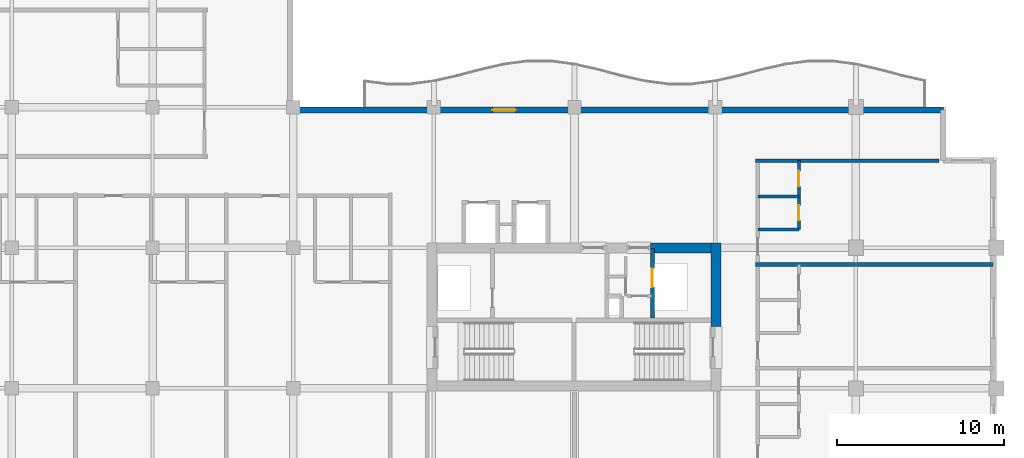
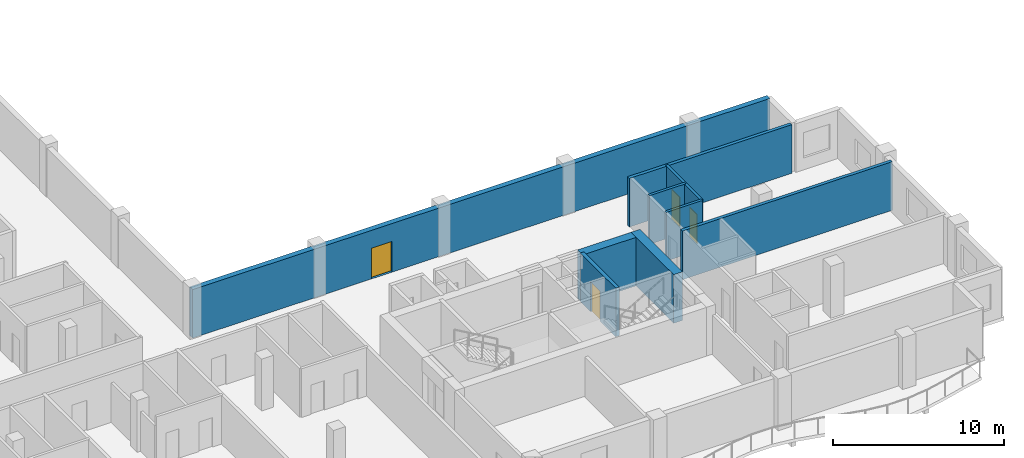
# One storey, part 5 of 12: 9 walls, 4 doors, 4 openings.
"""IFC4 building model written with IfcOpenShell, lengths in metres."""

from ifc_helpers import new_model, si_unit, direction, frame, frame_2d, origin, place, context, subcontext, project, spatial, rectangle, extrude, material, layer, layer_set, type_object, element, fill, save


model = new_model("IFC4")

# Units and contexts
model_context = context("Model", 3, precision=1e-05, world=origin(), true_north=direction((0.0, 1.0)))
body_context = subcontext(model_context, "Body", "Model", "MODEL_VIEW")
ifc_project = project(units=[si_unit("LENGTHUNIT", "METRE"), si_unit("AREAUNIT", "SQUARE_METRE"), si_unit("VOLUMEUNIT", "CUBIC_METRE"), si_unit("PLANEANGLEUNIT", "RADIAN"), si_unit("MASSUNIT", "GRAM", prefix="KILO")], contexts=[model_context])

# Site, building, storey
site_placement = place(None, origin())
site = spatial("IfcSite", under=ifc_project, at=site_placement, CompositionType="ELEMENT")
building_placement = place(site_placement, origin())
building = spatial("IfcBuilding", under=site, at=building_placement, Name="Koriwani Terraces Tower", CompositionType="ELEMENT")
storey_placement = place(building_placement, frame((0.0, 0.0, 241.60009765625)))
storey = spatial("IfcBuildingStorey", under=building, at=storey_placement, Name="L59", CompositionType="ELEMENT", Elevation=241.60009765625)

# Walls
ifc_material_1 = material(Name="Concrete C60/75", Category="concrete")
ifc_layer_1 = layer(ifc_material_1, 0.60009765625, Name="Concrete C60/75")
ifc_layer_set_1 = layer_set([ifc_layer_1], Name="Concrete C60/75")
wall_type_1 = type_object("IfcWallType", Name="WALL_CORE_RC_600", PredefinedType="SHEAR", material=ifc_layer_set_1)
wall_1_placement = place(storey_placement, frame((58.85009765625, 20.5, 0.0), z_axis=(0.0, 0.0, 1.0), x_axis=(0.0, 1.0, 0.0)))
element("IfcWall", 1, at=wall_1_placement, inside=storey, type_object=wall_type_1, Name="L59 East Split Core Shear Wall E2", PredefinedType="SHEAR", context=body_context, shape_type="SweptSolid", body=[
    extrude(rectangle(XDim=5.0, YDim=0.60009765625, at=frame_2d((2.5, 0.0))), origin(), (0.0, 0.0, 1.0), 3.469970703125),
])
wall_2_placement = place(storey_placement, frame((54.949951171875, 25.199951171875, 0.0), z_axis=(0.0, 0.0, 1.0), x_axis=(1.0, 0.0, 0.0)))
element("IfcWall", 2, at=wall_2_placement, inside=storey, type_object=wall_type_1, Name="L59 East Split Core Shear Wall N3", PredefinedType="SHEAR", context=body_context, shape_type="SweptSolid", body=[
    extrude(rectangle(XDim=3.60009765625, YDim=0.60009765625, at=frame_2d((1.800048828125, 0.0))), origin(), (0.0, 0.0, 1.0), 3.469970703125),
])
ifc_material_2 = material(Name="Autoclaved Cellular Concrete Blockwork", Category="masonry")
ifc_layer_2 = layer(ifc_material_2, 0.219970703125, Name="Autoclaved Cellular Concrete Blockwork")
ifc_layer_set_2 = layer_set([ifc_layer_2], Name="Autoclaved Cellular Concrete Blockwork")
wall_type_2 = type_object("IfcWallType", Name="WALL_DEMISING_220", PredefinedType="PARTITIONING", material=ifc_layer_set_2)
wall_3_placement = place(storey_placement, frame((61.199951171875, 24.199951171875, 0.0), z_axis=(0.0, 0.0, 1.0), x_axis=(1.0, 0.0, 0.0)))
element("IfcWall", 3, at=wall_3_placement, inside=storey, type_object=wall_type_2, Name="L59 Interior Wall WRDEM-L59-ETE-2", PredefinedType="PARTITIONING", context=body_context, shape_type="SweptSolid", body=[
    extrude(rectangle(XDim=14.199951171875, YDim=0.219970703125, at=frame_2d((7.10009765625, 0.0))), origin(), (0.0, 0.0, 1.0), 3.469970703125),
])
wall_4_placement = place(storey_placement, frame((61.199951171875, 30.39990234375, 0.0), z_axis=(0.0, 0.0, 1.0), x_axis=(1.0, 0.0, 0.0)))
element("IfcWall", 4, at=wall_4_placement, inside=storey, type_object=wall_type_2, Name="L59 Interior Wall WRDEME-L59-ETE", PredefinedType="PARTITIONING", context=body_context, shape_type="SweptSolid", body=[
    extrude(rectangle(XDim=10.97998046875, YDim=0.219970703125, at=frame_2d((5.489990234375, 0.0))), origin(), (0.0, 0.0, 1.0), 3.469970703125),
])

# Wall, opening, door
ifc_material_3 = material(Name="Concrete C50/60", Category="concrete")
ifc_layer_3 = layer(ifc_material_3, 0.35009765625, Name="Concrete C50/60")
ifc_layer_set_3 = layer_set([ifc_layer_3], Name="Concrete C50/60")
wall_type_3 = type_object("IfcWallType", Name="WALL_EXT_BRUTALIST_350", PredefinedType="STANDARD", material=ifc_layer_set_3)
wall_5_placement = place(storey_placement, frame((33.425048828125, 33.425048828125, 0.0), z_axis=(0.0, 0.0, 1.0), x_axis=(1.0, 0.0, 0.0)))
wall_5 = element("IfcWall", 5, at=wall_5_placement, inside=storey, type_object=wall_type_3, Name="L59 Fair-Faced Brutalist Exterior Wall (NE)", PredefinedType="STANDARD", context=body_context, shape_type="SweptSolid", body=[
    extrude(rectangle(XDim=39.0, YDim=0.35009765625, at=frame_2d((19.5, 0.0))), origin(), (0.0, 0.0, 1.0), 3.469970703125),
])
opening_1_placement = place(wall_5_placement, frame((12.074951171875, 0.0, 0.0)))
opening_1 = element("IfcOpeningElement", 6, at=opening_1_placement, cuts=wall_5, Name="Opening D-09", PredefinedType="OPENING", context=body_context, shape_type="SweptSolid", body=[
    extrude(rectangle(XDim=1.39990234375, YDim=2.199951171875, at=frame_2d((0.699951171875, 1.10009765625))), frame((0.0, 0.18505859375, 0.0), z_axis=(0.0, -1.0, 0.0), x_axis=(1.0, 0.0, 0.0)), (0.0, 0.0, 1.0), 0.3701171875),
])
ifc_material_4 = material(Name="Anodised Bronze Aluminium", Category="aluminium")
door_type_1 = type_object("IfcDoorType", Name="DOOR_BALCONY_GLAZED_1400X2200", OperationType="NOTDEFINED", PredefinedType="DOOR", material=ifc_material_4)
door_1_placement = place(opening_1_placement, origin())
door_1 = element("IfcDoor", 7, at=door_1_placement, inside=storey, type_object=door_type_1, Name="L59 Inner Court Balcony Glazed Door", OperationType="SINGLE_SWING_LEFT", OverallHeight=2.199951171875, OverallWidth=1.39990234375, PredefinedType="DOOR", context=body_context, shape_type="SweptSolid", body=[
    extrude(rectangle(XDim=1.39990234375, YDim=2.199951171875, at=frame_2d((0.699951171875, 1.10009765625))), frame((0.0, 0.02490234375, 0.0), z_axis=(0.0, -1.0, 0.0), x_axis=(1.0, 0.0, 0.0)), (0.0, 0.0, 1.0), 0.050048828125),
])
fill(opening_1, door_1)

# Wall, openings, doors
ifc_material_5 = material(Name="Fire-Rated Acoustic Gypsum Partition", Category="masonry")
ifc_layer_4 = layer(ifc_material_5, 0.179931640625, Name="Fire-Rated Acoustic Gypsum Partition")
ifc_layer_set_4 = layer_set([ifc_layer_4], Name="Fire-Rated Acoustic Gypsum Partition")
wall_type_4 = type_object("IfcWallType", Name="WALL_PLUMBING_180", PredefinedType="PLUMBINGWALL", material=ifc_layer_set_4)
wall_6_placement = place(storey_placement, frame((63.800048828125, 26.300048828125, 0.0), z_axis=(0.0, 0.0, 1.0), x_axis=(0.0, 1.0, 0.0)))
wall_6 = element("IfcWall", 8, at=wall_6_placement, inside=storey, type_object=wall_type_4, Name="L59 Interior Wall WRSVC-L59-ETE-2", PredefinedType="PLUMBINGWALL", context=body_context, shape_type="SweptSolid", body=[
    extrude(rectangle(XDim=4.099853515625, YDim=0.179931640625, at=frame_2d((2.0498046875, 0.0))), origin(), (0.0, 0.0, 1.0), 3.469970703125),
])
opening_2_placement = place(wall_6_placement, frame((0.533935546875, 0.0, 0.0)))
opening_2 = element("IfcOpeningElement", 9, at=opening_2_placement, cuts=wall_6, Name="Opening D-07", PredefinedType="OPENING", context=body_context, shape_type="SweptSolid", body=[
    extrude(rectangle(XDim=0.89990234375, YDim=2.10009765625, at=frame_2d((0.449951171875, 1.050048828125))), frame((0.0, 0.10009765625, 0.0), z_axis=(0.0, -1.0, 0.0), x_axis=(1.0, 0.0, 0.0)), (0.0, 0.0, 1.0), 0.199951171875),
])
opening_3_placement = place(wall_6_placement, frame((2.573974609375, 0.0, 0.0)))
opening_3 = element("IfcOpeningElement", 10, at=opening_3_placement, cuts=wall_6, Name="Opening D-06", PredefinedType="OPENING", context=body_context, shape_type="SweptSolid", body=[
    extrude(rectangle(XDim=0.919921875, YDim=2.10009765625, at=frame_2d((0.4599609375, 1.050048828125))), frame((0.0, 0.10009765625, 0.0), z_axis=(0.0, -1.0, 0.0), x_axis=(1.0, 0.0, 0.0)), (0.0, 0.0, 1.0), 0.199951171875),
])
ifc_material_6 = material(Name="Architectural Oak Fire Door", Category="wood")
door_type_2 = type_object("IfcDoorType", Name="DOOR_BATH_INT_900X2100", OperationType="NOTDEFINED", PredefinedType="DOOR", material=ifc_material_6)
door_2_placement = place(opening_2_placement, origin())
door_2 = element("IfcDoor", 11, at=door_2_placement, inside=storey, type_object=door_type_2, Name="Apartment 59ETE3 Bathroom Door", OperationType="SINGLE_SWING_RIGHT", OverallHeight=2.10009765625, OverallWidth=0.89990234375, PredefinedType="DOOR", context=body_context, shape_type="SweptSolid", body=[
    extrude(rectangle(XDim=0.89990234375, YDim=2.10009765625, at=frame_2d((0.449951171875, 1.050048828125))), frame((0.0, 0.02490234375, 0.0), z_axis=(0.0, -1.0, 0.0), x_axis=(1.0, 0.0, 0.0)), (0.0, 0.0, 1.0), 0.050048828125),
])
fill(opening_2, door_2)
door_type_3 = type_object("IfcDoorType", Name="DOOR_ROOM_INT_920X2100", OperationType="NOTDEFINED", PredefinedType="DOOR", material=ifc_material_6)
door_3_placement = place(opening_3_placement, origin())
door_3 = element("IfcDoor", 12, at=door_3_placement, inside=storey, type_object=door_type_3, Name="Apartment 59ETE3 Kitchen Door", OperationType="SINGLE_SWING_LEFT", OverallHeight=2.10009765625, OverallWidth=0.919921875, PredefinedType="DOOR", context=body_context, shape_type="SweptSolid", body=[
    extrude(rectangle(XDim=0.919921875, YDim=2.10009765625, at=frame_2d((0.4599609375, 1.050048828125))), frame((0.0, 0.02490234375, 0.0), z_axis=(0.0, -1.0, 0.0), x_axis=(1.0, 0.0, 0.0)), (0.0, 0.0, 1.0), 0.050048828125),
])
fill(opening_3, door_3)

# Walls
for number, where, z_axis, x_axis, name in (
    (13, (61.35009765625, 26.300048828125, 0.0), (0.0, 0.0, 1.0), (1.0, 0.0, 0.0), "L59 Interior Wall WRSVCS-L59-ETE-2"),
    (14, (61.35009765625, 28.26806640625, 0.0), (0.0, 0.0, 1.0), (1.0, 0.0, 0.0), "L59 Interior Wall WRSVCM-L59-ETE-2"),
):
    element("IfcWall", number, at=place(storey_placement, frame(where, z_axis=z_axis, x_axis=x_axis)), inside=storey, type_object=wall_type_4, Name=name, PredefinedType="PLUMBINGWALL", context=body_context, shape_type="SweptSolid", body=[
        extrude(rectangle(XDim=2.449951171875, YDim=0.179931640625, at=frame_2d((1.22509765625, 0.0))), origin(), (0.0, 0.0, 1.0), 3.469970703125),
    ])

# Wall, opening, door
ifc_material_7 = material(Name="Concrete C40/50", Category="concrete")
ifc_layer_5 = layer(ifc_material_7, 0.25, Name="Concrete C40/50")
ifc_layer_set_5 = layer_set([ifc_layer_5], Name="Concrete C40/50")
wall_type_5 = type_object("IfcWallType", Name="WALL_SHAFT_RATED_250", PredefinedType="SOLIDWALL", material=ifc_layer_set_5)
wall_7_placement = place(storey_placement, frame((55.050048828125, 21.0, 0.0), z_axis=(0.0, 0.0, 1.0), x_axis=(0.0, 1.0, 0.0)))
wall_7 = element("IfcWall", 15, at=wall_7_placement, inside=storey, type_object=wall_type_5, Name="L59 Interior Wall WIN-CE-L59-SE", PredefinedType="SOLIDWALL", context=body_context, shape_type="SweptSolid", body=[
    extrude(rectangle(XDim=4.14990234375, YDim=0.25, at=frame_2d((2.074951171875, 0.0))), origin(), (0.0, 0.0, 1.0), 3.469970703125),
])
opening_4_placement = place(wall_7_placement, frame((1.85009765625, 0.0, 0.0)))
opening_4 = element("IfcOpeningElement", 16, at=opening_4_placement, cuts=wall_7, Name="Opening LD-01", PredefinedType="OPENING", context=body_context, shape_type="SweptSolid", body=[
    extrude(rectangle(XDim=1.10009765625, YDim=2.14990234375, at=frame_2d((0.550048828125, 1.074951171875))), frame((0.0, 0.135009765625, 0.0), z_axis=(0.0, -1.0, 0.0), x_axis=(1.0, 0.0, 0.0)), (0.0, 0.0, 1.0), 0.27001953125),
])
ifc_material_8 = material(Name="Steel ASTM A572 Grade 50", Category="steel")
door_type_4 = type_object("IfcDoorType", Name="DOOR_LIFT_LANDING_1100X2200", OperationType="NOTDEFINED", PredefinedType="DOOR", material=ifc_material_8)
door_4_placement = place(opening_4_placement, origin())
door_4 = element("IfcDoor", 17, at=door_4_placement, inside=storey, type_object=door_type_4, Name="L59 Goods Lift SE-02 Landing Door", OperationType="SLIDING_TO_LEFT", OverallHeight=2.14990234375, OverallWidth=1.10009765625, PredefinedType="DOOR", context=body_context, shape_type="SweptSolid", body=[
    extrude(rectangle(XDim=1.10009765625, YDim=2.14990234375, at=frame_2d((0.550048828125, 1.074951171875))), frame((0.0, 0.02490234375, 0.0), z_axis=(0.0, -1.0, 0.0), x_axis=(1.0, 0.0, 0.0)), (0.0, 0.0, 1.0), 0.050048828125),
])
fill(opening_4, door_4)

save(model, "model.ifc")
